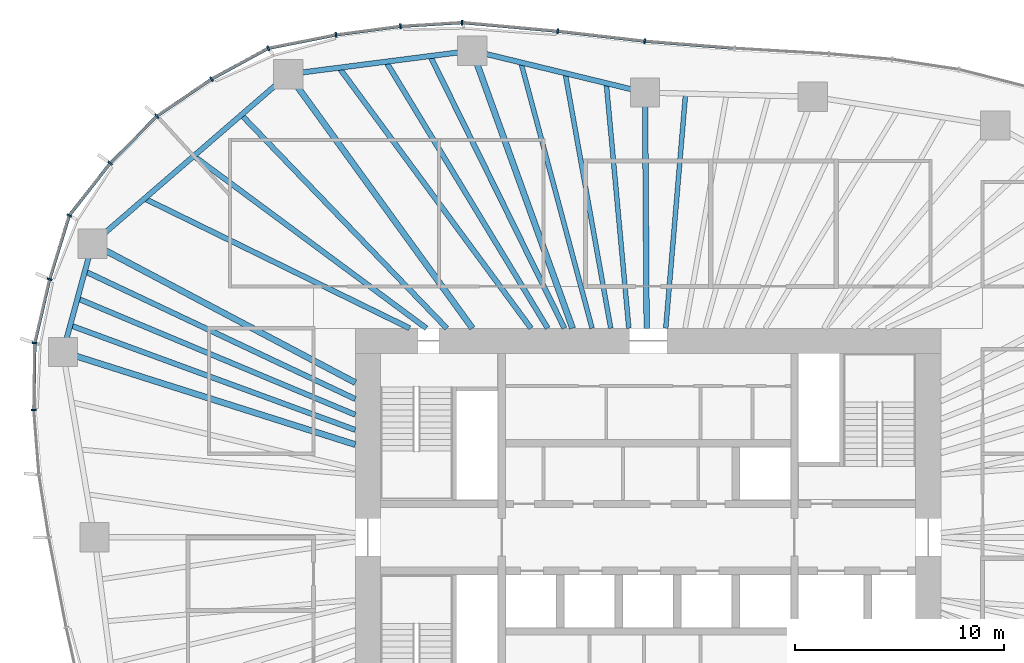
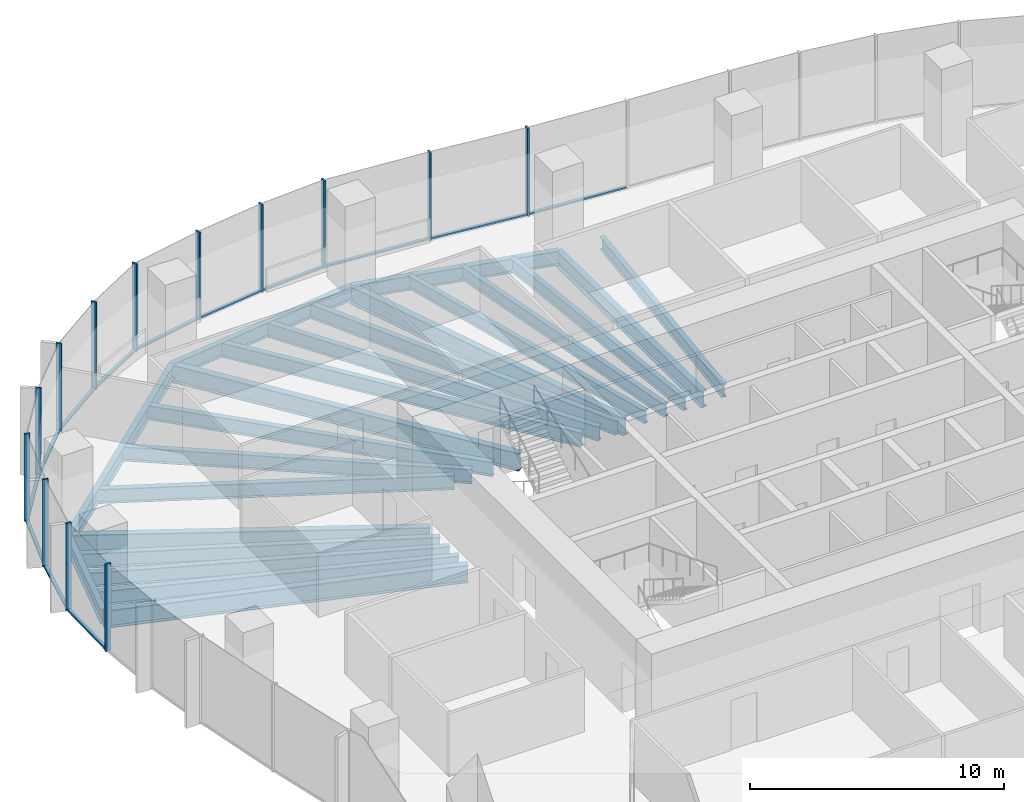
# One storey, part 5 of 18: 26 members, 22 beams, 6 elements without a shape of their own.
"""IFC4 building model written with IfcOpenShell, lengths in metres."""

from ifc_helpers import new_model, si_unit, direction, frame, origin, origin_2d, place, context, subcontext, project, spatial, rectangle, i_section, extrude, material, material_profile, profile_set, type_object, element, aggregate, save


model = new_model("IFC4")

# Units and contexts
model_context = context("Model", 3, precision=1e-05, world=origin(), true_north=direction((0.0, 1.0)))
body_context = subcontext(model_context, "Body", "Model", "MODEL_VIEW")
ifc_project = project(units=[si_unit("LENGTHUNIT", "METRE"), si_unit("AREAUNIT", "SQUARE_METRE"), si_unit("VOLUMEUNIT", "CUBIC_METRE"), si_unit("PLANEANGLEUNIT", "RADIAN"), si_unit("MASSUNIT", "GRAM", prefix="KILO")], contexts=[model_context])

# Site, building, storey
site_placement = place(None, origin())
site = spatial("IfcSite", under=ifc_project, at=site_placement, CompositionType="ELEMENT")
building_placement = place(site_placement, origin())
building = spatial("IfcBuilding", under=site, at=building_placement, Name="Ghaith Harvest Tower", CompositionType="ELEMENT")
storey_placement = place(building_placement, frame((0.0, 0.0, 155.39990234375)))
storey = spatial("IfcBuildingStorey", under=building, at=storey_placement, Name="L33", CompositionType="ELEMENT", Elevation=155.39990234375)

# Curtain wall, members
ifc_material_1 = material(Name="Black anodised aluminium and fritted glass", Category="aluminium")
curtain_wall_type = type_object("IfcCurtainWallType", Name="CW-L CURTAIN WALL", PredefinedType="NOTDEFINED", material=ifc_material_1)
curtain_wall_1_placement = place(storey_placement, origin())
curtain_wall_1 = element("IfcCurtainWall", 1, at=curtain_wall_1_placement, inside=storey, type_object=curtain_wall_type, Name="Curtain wall CW-L bay 06 L33", PredefinedType="NOTDEFINED")
ifc_material_2 = material(Name="Aluminium, black anodised", Category="aluminium")
ifc_material_profile_1 = material_profile(ifc_material_2, rectangle(XDim=0.080078125, YDim=0.239990234375, at=origin_2d()), Name="CW-L MULLION 80x240")
ifc_profile_set_1 = profile_set([ifc_material_profile_1], Name="Aluminium, black anodised")
member_type_1 = type_object("IfcMemberType", Name="CW-L MULLION 80x240", PredefinedType="MULLION", material=ifc_profile_set_1)
member_1_placement = place(storey_placement, frame((-0.162353515625, 23.729736328125, 0.0), z_axis=(0.0, 0.0, 1.0), x_axis=(-0.995388088953, 0.095929934691, 0.0)))
member_1 = element("IfcMember", 2, at=member_1_placement, type_object=member_type_1, Name="CW-L mullion 1 bay 06 L33", PredefinedType="MULLION", context=body_context, shape_type="SweptSolid", body=[
    extrude(rectangle(XDim=0.080078125, YDim=0.239990234375, at=origin_2d()), origin(), (0.0, 0.0, 1.0), 4.2001953125),
])
member_2_placement = place(storey_placement, frame((-4.322998046875, 24.207275390625, 0.0), z_axis=(0.0, 0.0, 1.0), x_axis=(-0.994830371571, 0.101550636625, 0.0)))
member_2 = element("IfcMember", 3, at=member_2_placement, type_object=member_type_1, Name="CW-L mullion 2 bay 06 L33", PredefinedType="MULLION", context=body_context, shape_type="SweptSolid", body=[
    extrude(rectangle(XDim=0.080078125, YDim=0.239990234375, at=origin_2d()), origin(), (0.0, 0.0, 1.0), 4.2001953125),
])

curtain_wall_2_placement = place(storey_placement, origin())
curtain_wall_2 = element("IfcCurtainWall", 4, at=curtain_wall_2_placement, inside=storey, type_object=curtain_wall_type, Name="Curtain wall CW-L bay 07 L33", PredefinedType="NOTDEFINED")
member_3_placement = place(storey_placement, frame((-8.892578125, 24.620849609375, 0.0), z_axis=(0.0, 0.0, 1.0), x_axis=(-0.999522209385, 0.030908784286, 0.0)))
member_3 = element("IfcMember", 5, at=member_3_placement, type_object=member_type_1, Name="CW-L mullion 1 bay 07 L33", PredefinedType="MULLION", context=body_context, shape_type="SweptSolid", body=[
    extrude(rectangle(XDim=0.080078125, YDim=0.239990234375, at=origin_2d()), origin(), (0.0, 0.0, 1.0), 4.2001953125),
])
member_4_placement = place(storey_placement, frame((-11.841064453125, 24.439697265625, 0.0), z_axis=(0.0, 0.0, 1.0), x_axis=(-0.995237520168, -0.097479630949, 0.0)))
member_4 = element("IfcMember", 6, at=member_4_placement, type_object=member_type_1, Name="CW-L mullion 2 bay 07 L33", PredefinedType="MULLION", context=body_context, shape_type="SweptSolid", body=[
    extrude(rectangle(XDim=0.080078125, YDim=0.239990234375, at=origin_2d()), origin(), (0.0, 0.0, 1.0), 4.2001953125),
])
member_5_placement = place(storey_placement, frame((-14.923828125, 24.030029296875, 0.0), z_axis=(0.0, 0.0, 1.0), x_axis=(-0.986494514812, -0.163794298578, 0.0)))
member_5 = element("IfcMember", 7, at=member_5_placement, type_object=member_type_1, Name="CW-L mullion 3 bay 07 L33", PredefinedType="MULLION", context=body_context, shape_type="SweptSolid", body=[
    extrude(rectangle(XDim=0.080078125, YDim=0.239990234375, at=origin_2d()), origin(), (0.0, 0.0, 1.0), 4.2001953125),
])

curtain_wall_3_placement = place(storey_placement, origin())
curtain_wall_3 = element("IfcCurtainWall", 8, at=curtain_wall_3_placement, inside=storey, type_object=curtain_wall_type, Name="Curtain wall CW-L bay 08 L33", PredefinedType="NOTDEFINED")
member_6_placement = place(storey_placement, frame((-18.165283203125, 23.3896484375, 0.0), z_axis=(0.0, 0.0, 1.0), x_axis=(-0.942103541202, -0.335322110298, 0.0)))
member_6 = element("IfcMember", 9, at=member_6_placement, type_object=member_type_1, Name="CW-L mullion 1 bay 08 L33", PredefinedType="MULLION", context=body_context, shape_type="SweptSolid", body=[
    extrude(rectangle(XDim=0.080078125, YDim=0.239990234375, at=origin_2d()), origin(), (0.0, 0.0, 1.0), 4.2001953125),
])
member_7_placement = place(storey_placement, frame((-20.87548828125, 21.91162109375, 0.0), z_axis=(0.0, 0.0, 1.0), x_axis=(-0.853515864435, -0.521066856707, 0.0)))
member_7 = element("IfcMember", 10, at=member_7_placement, type_object=member_type_1, Name="CW-L mullion 2 bay 08 L33", PredefinedType="MULLION", context=body_context, shape_type="SweptSolid", body=[
    extrude(rectangle(XDim=0.080078125, YDim=0.239990234375, at=origin_2d()), origin(), (0.0, 0.0, 1.0), 4.2001953125),
])
member_8_placement = place(storey_placement, frame((-23.489501953125, 20.13916015625, 0.0), z_axis=(0.0, 0.0, 1.0), x_axis=(-0.769682554376, -0.638426789451, 0.0)))
member_8 = element("IfcMember", 11, at=member_8_placement, type_object=member_type_1, Name="CW-L mullion 3 bay 08 L33", PredefinedType="MULLION", context=body_context, shape_type="SweptSolid", body=[
    extrude(rectangle(XDim=0.080078125, YDim=0.239990234375, at=origin_2d()), origin(), (0.0, 0.0, 1.0), 4.2001953125),
])

curtain_wall_4_placement = place(storey_placement, origin())
curtain_wall_4 = element("IfcCurtainWall", 12, at=curtain_wall_4_placement, inside=storey, type_object=curtain_wall_type, Name="Curtain wall CW-L bay 09 L33", PredefinedType="NOTDEFINED")
member_9_placement = place(storey_placement, frame((-25.718017578125, 17.894775390625, 0.0), z_axis=(0.0, 0.0, 1.0), x_axis=(-0.661903840688, -0.749588757708, 0.0)))
member_9 = element("IfcMember", 13, at=member_9_placement, type_object=member_type_1, Name="CW-L mullion 1 bay 09 L33", PredefinedType="MULLION", context=body_context, shape_type="SweptSolid", body=[
    extrude(rectangle(XDim=0.080078125, YDim=0.239990234375, at=origin_2d()), origin(), (0.0, 0.0, 1.0), 4.2001953125),
])
member_10_placement = place(storey_placement, frame((-27.67919921875, 15.39453125, 0.0), z_axis=(0.0, 0.0, 1.0), x_axis=(-0.462889784298, -0.886415843491, 0.0)))
member_10 = element("IfcMember", 14, at=member_10_placement, type_object=member_type_1, Name="CW-L mullion 2 bay 09 L33", PredefinedType="MULLION", context=body_context, shape_type="SweptSolid", body=[
    extrude(rectangle(XDim=0.080078125, YDim=0.239990234375, at=origin_2d()), origin(), (0.0, 0.0, 1.0), 4.2001953125),
])
member_11_placement = place(storey_placement, frame((-28.61669921875, 12.343994140625, 0.0), z_axis=(0.0, 0.0, 1.0), x_axis=(-0.260727312416, -0.965412486226, 0.0)))
member_11 = element("IfcMember", 15, at=member_11_placement, type_object=member_type_1, Name="CW-L mullion 3 bay 09 L33", PredefinedType="MULLION", context=body_context, shape_type="SweptSolid", body=[
    extrude(rectangle(XDim=0.080078125, YDim=0.239990234375, at=origin_2d()), origin(), (0.0, 0.0, 1.0), 4.2001953125),
])

curtain_wall_5_placement = place(storey_placement, origin())
curtain_wall_5 = element("IfcCurtainWall", 16, at=curtain_wall_5_placement, inside=storey, type_object=curtain_wall_type, Name="Curtain wall CW-L bay 10 L33", PredefinedType="NOTDEFINED")
member_12_placement = place(storey_placement, frame((-29.32666015625, 9.294189453125, 0.0), z_axis=(0.0, 0.0, 1.0), x_axis=(-0.120932140225, -0.99266077663, 0.0)))
member_12 = element("IfcMember", 17, at=member_12_placement, type_object=member_type_1, Name="CW-L mullion 1 bay 10 L33", PredefinedType="MULLION", context=body_context, shape_type="SweptSolid", body=[
    extrude(rectangle(XDim=0.080078125, YDim=0.239990234375, at=origin_2d()), origin(), (0.0, 0.0, 1.0), 4.2001953125),
])
member_13_placement = place(storey_placement, frame((-29.3779296875, 6.09619140625, 0.0), z_axis=(0.0, 0.0, 1.0), x_axis=(0.031027769448, -0.999518522851, 0.0)))
member_13 = element("IfcMember", 18, at=member_13_placement, type_object=member_type_1, Name="CW-L mullion 2 bay 10 L33", PredefinedType="MULLION", context=body_context, shape_type="SweptSolid", body=[
    extrude(rectangle(XDim=0.080078125, YDim=0.239990234375, at=origin_2d()), origin(), (0.0, 0.0, 1.0), 4.2001953125),
])

# Curtain wall, member
curtain_wall_6_placement = place(storey_placement, origin())
curtain_wall_6 = element("IfcCurtainWall", 19, at=curtain_wall_6_placement, inside=storey, type_object=curtain_wall_type, Name="Curtain wall CW-L bay 05 L33", PredefinedType="NOTDEFINED")
ifc_material_3 = material(Name="Aluminium, black anodised", Category="aluminium")
ifc_material_profile_2 = material_profile(ifc_material_3, rectangle(XDim=0.14990234375, YDim=0.080078125, at=origin_2d()), Name="CW-L TRANSOM 150x80")
ifc_profile_set_2 = profile_set([ifc_material_profile_2], Name="Aluminium, black anodised")
member_type_2 = type_object("IfcMemberType", Name="CW-L TRANSOM 150x80", PredefinedType="USERDEFINED", material=ifc_profile_set_2)
member_14_placement = place(storey_placement, frame((4.106689453125, 23.39404296875, 0.0400390625), z_axis=(-0.996923406046, 0.078381901463, 0.0), x_axis=(-0.078381901463, -0.996923406046, 0.0)))
member_14 = element("IfcMember", 20, at=member_14_placement, type_object=member_type_2, Name="CW-L transom 2 bay 05 L33", ObjectType="TRANSOM", PredefinedType="USERDEFINED", context=body_context, shape_type="SweptSolid", body=[
    extrude(rectangle(XDim=0.14990234375, YDim=0.080078125, at=origin_2d()), origin(), (0.0, 0.0, 1.0), 4.2421875),
])
aggregate(curtain_wall_6, [member_14])

# Member
member_15_placement = place(storey_placement, frame((-0.2021484375, 23.734130859375, 0.0400390625), z_axis=(-0.993474883942, 0.114051106861, 0.0), x_axis=(-0.114051106861, -0.993474883942, 0.0)))
member_15 = element("IfcMember", 21, at=member_15_placement, type_object=member_type_2, Name="CW-L transom 1 bay 06 L33", ObjectType="TRANSOM", PredefinedType="USERDEFINED", context=body_context, shape_type="SweptSolid", body=[
    extrude(rectangle(XDim=0.14990234375, YDim=0.080078125, at=origin_2d()), origin(), (0.0, 0.0, 1.0), 4.10791015625),
])

member_16_placement = place(storey_placement, frame((-4.36279296875, 24.210693359375, 0.0400390625), z_axis=(-0.995926431676, 0.090169521954, 0.0), x_axis=(-0.090169521954, -0.995926431676, 0.0)))
member_16 = element("IfcMember", 22, at=member_16_placement, type_object=member_type_2, Name="CW-L transom 2 bay 06 L33", ObjectType="TRANSOM", PredefinedType="USERDEFINED", context=body_context, shape_type="SweptSolid", body=[
    extrude(rectangle(XDim=0.14990234375, YDim=0.080078125, at=origin_2d()), origin(), (0.0, 0.0, 1.0), 4.508056640625),
])

aggregate(curtain_wall_1, [member_1, member_15, member_2, member_16])

member_17_placement = place(storey_placement, frame((-8.932373046875, 24.618408203125, 0.0400390625), z_axis=(-0.998117793577, -0.061325933705, 0.0), x_axis=(0.061325933705, -0.998117793577, 0.0)))
member_17 = element("IfcMember", 23, at=member_17_placement, type_object=member_type_2, Name="CW-L transom 1 bay 07 L33", ObjectType="TRANSOM", PredefinedType="USERDEFINED", context=body_context, shape_type="SweptSolid", body=[
    extrude(rectangle(XDim=0.14990234375, YDim=0.080078125, at=origin_2d()), origin(), (0.0, 0.0, 1.0), 2.874267578125),
])

member_18_placement = place(storey_placement, frame((-11.880859375, 24.434326171875, 0.0400390625), z_axis=(-0.991293929443, -0.131667556553, 0.0), x_axis=(0.131667556553, -0.991293929443, 0.0)))
member_18 = element("IfcMember", 24, at=member_18_placement, type_object=member_type_2, Name="CW-L transom 2 bay 07 L33", ObjectType="TRANSOM", PredefinedType="USERDEFINED", context=body_context, shape_type="SweptSolid", body=[
    extrude(rectangle(XDim=0.14990234375, YDim=0.080078125, at=origin_2d()), origin(), (0.0, 0.0, 1.0), 3.02978515625),
])

member_19_placement = place(storey_placement, frame((-14.963134765625, 24.022216796875, 0.0400390625), z_axis=(-0.98104391994, -0.19378551842, 0.0), x_axis=(0.19378551842, -0.98104391994, 0.0)))
member_19 = element("IfcMember", 25, at=member_19_placement, type_object=member_type_2, Name="CW-L transom 3 bay 07 L33", ObjectType="TRANSOM", PredefinedType="USERDEFINED", context=body_context, shape_type="SweptSolid", body=[
    extrude(rectangle(XDim=0.14990234375, YDim=0.080078125, at=origin_2d()), origin(), (0.0, 0.0, 1.0), 3.223876953125),
])

aggregate(curtain_wall_2, [member_3, member_17, member_4, member_18, member_5, member_19])

member_20_placement = place(storey_placement, frame((-18.200439453125, 23.37060546875, 0.0400390625), z_axis=(-0.877929702377, -0.478789554695, 0.0), x_axis=(0.478789554695, -0.877929702377, 0.0)))
member_20 = element("IfcMember", 26, at=member_20_placement, type_object=member_type_2, Name="CW-L transom 1 bay 08 L33", ObjectType="TRANSOM", PredefinedType="USERDEFINED", context=body_context, shape_type="SweptSolid", body=[
    extrude(rectangle(XDim=0.14990234375, YDim=0.080078125, at=origin_2d()), origin(), (0.0, 0.0, 1.0), 3.0068359375),
])

member_21_placement = place(storey_placement, frame((-20.908447265625, 21.88916015625, 0.0400390625), z_axis=(-0.827681025079, -0.561198824593, 0.0), x_axis=(0.561198824593, -0.827681025079, 0.0)))
member_21 = element("IfcMember", 27, at=member_21_placement, type_object=member_type_2, Name="CW-L transom 2 bay 08 L33", ObjectType="TRANSOM", PredefinedType="USERDEFINED", context=body_context, shape_type="SweptSolid", body=[
    extrude(rectangle(XDim=0.14990234375, YDim=0.080078125, at=origin_2d()), origin(), (0.0, 0.0, 1.0), 3.078369140625),
])

member_22_placement = place(storey_placement, frame((-23.517578125, 20.11083984375, 0.0400390625), z_axis=(-0.704647577514, -0.709557461735, 0.0), x_axis=(0.709557461735, -0.704647577514, 0.0)))
member_22 = element("IfcMember", 28, at=member_22_placement, type_object=member_type_2, Name="CW-L transom 3 bay 08 L33", ObjectType="TRANSOM", PredefinedType="USERDEFINED", context=body_context, shape_type="SweptSolid", body=[
    extrude(rectangle(XDim=0.14990234375, YDim=0.080078125, at=origin_2d()), origin(), (0.0, 0.0, 1.0), 3.0830078125),
])

aggregate(curtain_wall_3, [member_6, member_20, member_7, member_21, member_8, member_22])

member_23_placement = place(storey_placement, frame((-25.74267578125, 17.86328125, 0.0400390625), z_axis=(-0.617198298797, -0.786807638474, 0.0), x_axis=(0.786807638474, -0.617198298797, 0.0)))
member_23 = element("IfcMember", 29, at=member_23_placement, type_object=member_type_2, Name="CW-L transom 1 bay 09 L33", ObjectType="TRANSOM", PredefinedType="USERDEFINED", context=body_context, shape_type="SweptSolid", body=[
    extrude(rectangle(XDim=0.14990234375, YDim=0.080078125, at=origin_2d()), origin(), (0.0, 0.0, 1.0), 3.09765625),
])

member_24_placement = place(storey_placement, frame((-27.69091796875, 15.356201171875, 0.0400390625), z_axis=(-0.293777058804, -0.955873966441, 0.0), x_axis=(0.955873966441, -0.293777058804, 0.0)))
member_24 = element("IfcMember", 30, at=member_24_placement, type_object=member_type_2, Name="CW-L transom 2 bay 09 L33", ObjectType="TRANSOM", PredefinedType="USERDEFINED", context=body_context, shape_type="SweptSolid", body=[
    extrude(rectangle(XDim=0.14990234375, YDim=0.080078125, at=origin_2d()), origin(), (0.0, 0.0, 1.0), 3.111328125),
])

member_25_placement = place(storey_placement, frame((-28.6259765625, 12.304931640625, 0.0400390625), z_axis=(-0.226670598607, -0.973971477882, 0.0), x_axis=(0.973971477882, -0.226670598607, 0.0)))
member_25 = element("IfcMember", 31, at=member_25_placement, type_object=member_type_2, Name="CW-L transom 3 bay 09 L33", ObjectType="TRANSOM", PredefinedType="USERDEFINED", context=body_context, shape_type="SweptSolid", body=[
    extrude(rectangle(XDim=0.14990234375, YDim=0.080078125, at=origin_2d()), origin(), (0.0, 0.0, 1.0), 3.05126953125),
])

aggregate(curtain_wall_4, [member_9, member_23, member_10, member_24, member_11, member_25])

member_26_placement = place(storey_placement, frame((-29.327392578125, 9.254150390625, 0.0400390625), z_axis=(-0.015971652868, -0.999872445017, 0.0), x_axis=(0.999872445017, -0.015971652868, 0.0)))
member_26 = element("IfcMember", 32, at=member_26_placement, type_object=member_type_2, Name="CW-L transom 1 bay 10 L33", ObjectType="TRANSOM", PredefinedType="USERDEFINED", context=body_context, shape_type="SweptSolid", body=[
    extrude(rectangle(XDim=0.14990234375, YDim=0.080078125, at=origin_2d()), origin(), (0.0, 0.0, 1.0), 3.118408203125),
])

aggregate(curtain_wall_5, [member_12, member_26, member_13])

# Beams
ifc_material_4 = material(Name="Steel ASTM A992 Grade 50", Category="steel")
ifc_material_profile_3 = material_profile(ifc_material_4, i_section(OverallWidth=0.25390625, OverallDepth=0.68408203125, WebThickness=0.012451171875, FlangeThickness=0.018798828125, at=origin_2d()), Name="W690X140")
ifc_profile_set_3 = profile_set([ifc_material_profile_3], Name="Steel ASTM A992 Grade 50")
beam_type_1 = type_object("IfcBeamType", Name="E690-140 W690X140", PredefinedType="SPANDREL", material=ifc_profile_set_3)
beam_1_placement = place(storey_placement, frame((-0.14599609375, 21.27099609375, -0.511962890625), z_axis=(-0.971790293477, 0.235846614358, 0.0), x_axis=(-0.235846614358, -0.971790293477, 0.0)))
element("IfcBeam", 33, at=beam_1_placement, inside=storey, type_object=beam_type_1, Name="Edge beam E06 L33", PredefinedType="SPANDREL", context=body_context, shape_type="SweptSolid", body=[
    extrude(i_section(OverallWidth=0.25390625, OverallDepth=0.68408203125, WebThickness=0.012451171875, FlangeThickness=0.018798828125, at=origin_2d()), origin(), (0.0, 0.0, 1.0), 8.500732421875),
])
beam_2_placement = place(storey_placement, frame((-8.406982421875, 23.27587890625, -0.511962890625), z_axis=(-0.991904090065, -0.126989275577, 0.0), x_axis=(0.126989275577, -0.991904090065, 0.0)))
element("IfcBeam", 34, at=beam_2_placement, inside=storey, type_object=beam_type_1, Name="Edge beam E07 L33", PredefinedType="SPANDREL", context=body_context, shape_type="SweptSolid", body=[
    extrude(i_section(OverallWidth=0.25390625, OverallDepth=0.68408203125, WebThickness=0.012451171875, FlangeThickness=0.018798828125, at=origin_2d()), origin(), (0.0, 0.0, 1.0), 8.86669921875),
])
beam_3_placement = place(storey_placement, frame((-17.201904296875, 22.14990234375, -0.511962890625), z_axis=(-0.756392158274, -0.654118416574, 0.0), x_axis=(0.654118416574, -0.756392158274, 0.0)))
element("IfcBeam", 35, at=beam_3_placement, inside=storey, type_object=beam_type_1, Name="Edge beam E08 L33", PredefinedType="SPANDREL", context=body_context, shape_type="SweptSolid", body=[
    extrude(i_section(OverallWidth=0.25390625, OverallDepth=0.68408203125, WebThickness=0.012451171875, FlangeThickness=0.018798828125, at=origin_2d()), origin(), (0.0, 0.0, 1.0), 12.38916015625),
])
beam_4_placement = place(storey_placement, frame((-26.572998046875, 14.0458984375, -0.511962890625), z_axis=(-0.262724740433, -0.964870825947, 0.0), x_axis=(0.964870825947, -0.262724740433, 0.0)))
element("IfcBeam", 36, at=beam_4_placement, inside=storey, type_object=beam_type_1, Name="Edge beam E09 L33", PredefinedType="SPANDREL", context=body_context, shape_type="SweptSolid", body=[
    extrude(i_section(OverallWidth=0.25390625, OverallDepth=0.68408203125, WebThickness=0.012451171875, FlangeThickness=0.018798828125, at=origin_2d()), origin(), (0.0, 0.0, 1.0), 5.366455078125),
])
ifc_material_5 = material(Name="Steel ASTM A992 Grade 50", Category="steel")
ifc_material_profile_4 = material_profile(ifc_material_5, i_section(OverallWidth=0.26806640625, OverallDepth=0.77001953125, WebThickness=0.015625, FlangeThickness=0.025390625, at=origin_2d()), Name="W760X196")
ifc_profile_set_4 = profile_set([ifc_material_profile_4], Name="Steel ASTM A992 Grade 50")
beam_type_2 = type_object("IfcBeamType", Name="G760-196 W760X196", PredefinedType="BEAM", material=ifc_profile_set_4)
beam_5_placement = place(storey_placement, frame((-0.068359375, 10.0, -0.554931640625), z_axis=(-0.006888022705, 0.99997627729, 0.0), x_axis=(-0.99997627729, -0.006888022705, 0.0)))
element("IfcBeam", 37, at=beam_5_placement, inside=storey, type_object=beam_type_2, Name="Radial girder G06 L33", PredefinedType="BEAM", context=body_context, shape_type="SweptSolid", body=[
    extrude(i_section(OverallWidth=0.26806640625, OverallDepth=0.77001953125, WebThickness=0.015625, FlangeThickness=0.025390625, at=origin_2d()), origin(), (0.0, 0.0, 1.0), 11.271240234375),
])
ifc_material_6 = material(Name="Steel ASTM A992 Grade 50", Category="steel")
ifc_material_profile_5 = material_profile(ifc_material_6, i_section(OverallWidth=0.2939453125, OverallDepth=0.85107421875, WebThickness=0.01611328125, FlangeThickness=0.02685546875, at=origin_2d()), Name="W840X226")
ifc_profile_set_5 = profile_set([ifc_material_profile_5], Name="Steel ASTM A992 Grade 50")
beam_type_3 = type_object("IfcBeamType", Name="G840-226 W840X226", PredefinedType="BEAM", material=ifc_profile_set_5)
beam_6_placement = place(storey_placement, frame((-3.61181640625, 10.0, -0.595458984375), z_axis=(-0.339713316819, 0.940529033245, 0.0), x_axis=(-0.940529033245, -0.339713316819, 0.0)))
element("IfcBeam", 38, at=beam_6_placement, inside=storey, type_object=beam_type_3, Name="Radial girder G07 L33", PredefinedType="BEAM", context=body_context, shape_type="SweptSolid", body=[
    extrude(i_section(OverallWidth=0.2939453125, OverallDepth=0.85107421875, WebThickness=0.01611328125, FlangeThickness=0.02685546875, at=origin_2d()), origin(), (0.0, 0.0, 1.0), 14.115234375),
])
beam_7_placement = place(storey_placement, frame((-8.39990234375, 10.0, -0.595458984375), z_axis=(-0.586675813287, 0.809821887889, 0.0), x_axis=(-0.809821887889, -0.586675813287, 0.0)))
element("IfcBeam", 39, at=beam_7_placement, inside=storey, type_object=beam_type_3, Name="Radial girder G08 L33", PredefinedType="BEAM", context=body_context, shape_type="SweptSolid", body=[
    extrude(i_section(OverallWidth=0.2939453125, OverallDepth=0.85107421875, WebThickness=0.01611328125, FlangeThickness=0.02685546875, at=origin_2d()), origin(), (0.0, 0.0, 1.0), 15.003173828125),
])
beam_8_placement = place(storey_placement, frame((-14.0, 7.39990234375, -0.595458984375), z_axis=(-0.88408713845, 0.467322085533, 0.0), x_axis=(-0.467322085533, -0.88408713845, 0.0)))
element("IfcBeam", 40, at=beam_8_placement, inside=storey, type_object=beam_type_3, Name="Radial girder G09 L33", PredefinedType="BEAM", context=body_context, shape_type="SweptSolid", body=[
    extrude(i_section(OverallWidth=0.2939453125, OverallDepth=0.85107421875, WebThickness=0.01611328125, FlangeThickness=0.02685546875, at=origin_2d()), origin(), (0.0, 0.0, 1.0), 14.221435546875),
])
beam_9_placement = place(storey_placement, frame((-14.0, 4.43701171875, -0.595458984375), z_axis=(-0.953283605796, 0.302076756671, 0.0), x_axis=(-0.302076756671, -0.953283605796, 0.0)))
element("IfcBeam", 41, at=beam_9_placement, inside=storey, type_object=beam_type_3, Name="Radial girder G10 L33", PredefinedType="BEAM", context=body_context, shape_type="SweptSolid", body=[
    extrude(i_section(OverallWidth=0.2939453125, OverallDepth=0.85107421875, WebThickness=0.01611328125, FlangeThickness=0.02685546875, at=origin_2d()), origin(), (0.0, 0.0, 1.0), 14.668212890625),
])
ifc_material_7 = material(Name="Steel ASTM A992 Grade 50", Category="steel")
ifc_material_profile_6 = material_profile(ifc_material_7, i_section(OverallWidth=0.22900390625, OverallDepth=0.612060546875, WebThickness=0.011962890625, FlangeThickness=0.01953125, at=origin_2d()), Name="W610X125")
ifc_profile_set_6 = profile_set([ifc_material_profile_6], Name="Steel ASTM A992 Grade 50")
beam_type_4 = type_object("IfcBeamType", Name="J610-125 W610X125", PredefinedType="JOIST", material=ifc_profile_set_6)
beam_10_placement = place(storey_placement, frame((0.844970703125, 10.0, -0.475830078125), z_axis=(0.084213263804, 0.996447753873, 0.0), x_axis=(-0.996447753873, 0.084213263804, 0.0)))
element("IfcBeam", 42, at=beam_10_placement, inside=storey, type_object=beam_type_4, Name="Joist J05.3 L33", PredefinedType="JOIST", context=body_context, shape_type="SweptSolid", body=[
    extrude(i_section(OverallWidth=0.22900390625, OverallDepth=0.612060546875, WebThickness=0.011962890625, FlangeThickness=0.01953125, at=origin_2d()), origin(), (0.0, 0.0, 1.0), 11.262939453125),
])
beam_11_placement = place(storey_placement, frame((-0.92041015625, 10.0, -0.475830078125), z_axis=(-0.091659676302, 0.995790391468, 0.0), x_axis=(-0.995790391468, -0.091659676302, 0.0)))
element("IfcBeam", 43, at=beam_11_placement, inside=storey, type_object=beam_type_4, Name="Joist J06.1 L33", PredefinedType="JOIST", context=body_context, shape_type="SweptSolid", body=[
    extrude(i_section(OverallWidth=0.22900390625, OverallDepth=0.612060546875, WebThickness=0.011962890625, FlangeThickness=0.01953125, at=origin_2d()), origin(), (0.0, 0.0, 1.0), 11.770263671875),
])
beam_12_placement = place(storey_placement, frame((-1.785888671875, 10.0, -0.475830078125), z_axis=(-0.175794730188, 0.984426844838, 0.0), x_axis=(-0.984426844838, -0.175794730188, 0.0)))
element("IfcBeam", 44, at=beam_12_placement, inside=storey, type_object=beam_type_4, Name="Joist J06.2 L33", PredefinedType="JOIST", context=body_context, shape_type="SweptSolid", body=[
    extrude(i_section(OverallWidth=0.22900390625, OverallDepth=0.612060546875, WebThickness=0.011962890625, FlangeThickness=0.01953125, at=origin_2d()), origin(), (0.0, 0.0, 1.0), 12.390625),
])
beam_13_placement = place(storey_placement, frame((-2.677978515625, 10.0, -0.475830078125), z_axis=(-0.258692500157, 0.965959725021, 0.0), x_axis=(-0.965959725021, -0.258692500157, 0.0)))
element("IfcBeam", 45, at=beam_13_placement, inside=storey, type_object=beam_type_4, Name="Joist J06.3 L33", PredefinedType="JOIST", context=body_context, shape_type="SweptSolid", body=[
    extrude(i_section(OverallWidth=0.22900390625, OverallDepth=0.612060546875, WebThickness=0.011962890625, FlangeThickness=0.01953125, at=origin_2d()), origin(), (0.0, 0.0, 1.0), 13.15966796875),
])
ifc_material_8 = material(Name="Steel ASTM A992 Grade 50", Category="steel")
ifc_material_profile_7 = material_profile(ifc_material_8, i_section(OverallWidth=0.25390625, OverallDepth=0.68408203125, WebThickness=0.012451171875, FlangeThickness=0.018798828125, at=origin_2d()), Name="W690X140")
ifc_profile_set_7 = profile_set([ifc_material_profile_7], Name="Steel ASTM A992 Grade 50")
beam_type_5 = type_object("IfcBeamType", Name="J690-140 W690X140", PredefinedType="JOIST", material=ifc_profile_set_7)
beam_14_placement = place(storey_placement, frame((-4.0, 10.0, -0.511962890625), z_axis=(-0.442214455448, 0.896909346251, 0.0), x_axis=(-0.896909346251, -0.442214455448, 0.0)))
element("IfcBeam", 46, at=beam_14_placement, inside=storey, type_object=beam_type_5, Name="Joist J07.1 L33", PredefinedType="JOIST", context=body_context, shape_type="SweptSolid", body=[
    extrude(i_section(OverallWidth=0.25390625, OverallDepth=0.68408203125, WebThickness=0.012451171875, FlangeThickness=0.018798828125, at=origin_2d()), origin(), (0.0, 0.0, 1.0), 14.514892578125),
])
beam_15_placement = place(storey_placement, frame((-4.800048828125, 10.0, -0.511962890625), z_axis=(-0.51847337083, 0.855093774822, 0.0), x_axis=(-0.855093774822, -0.51847337083, 0.0)))
element("IfcBeam", 47, at=beam_15_placement, inside=storey, type_object=beam_type_5, Name="Joist J07.2 L33", PredefinedType="JOIST", context=body_context, shape_type="SweptSolid", body=[
    extrude(i_section(OverallWidth=0.25390625, OverallDepth=0.68408203125, WebThickness=0.012451171875, FlangeThickness=0.018798828125, at=origin_2d()), origin(), (0.0, 0.0, 1.0), 14.90869140625),
])
beam_16_placement = place(storey_placement, frame((-5.60009765625, 10.0, -0.511962890625), z_axis=(-0.592984827174, 0.805213632983, 0.0), x_axis=(-0.805213632983, -0.592984827174, 0.0)))
element("IfcBeam", 48, at=beam_16_placement, inside=storey, type_object=beam_type_5, Name="Joist J07.3 L33", PredefinedType="JOIST", context=body_context, shape_type="SweptSolid", body=[
    extrude(i_section(OverallWidth=0.25390625, OverallDepth=0.68408203125, WebThickness=0.012451171875, FlangeThickness=0.018798828125, at=origin_2d()), origin(), (0.0, 0.0, 1.0), 15.474609375),
])
beam_17_placement = place(storey_placement, frame((-9.626708984375, 10.0, -0.511962890625), z_axis=(-0.693535693616, 0.720422266231, 0.0), x_axis=(-0.720422266231, -0.693535693616, 0.0)))
element("IfcBeam", 49, at=beam_17_placement, inside=storey, type_object=beam_type_5, Name="Joist J08.1 L33", PredefinedType="JOIST", context=body_context, shape_type="SweptSolid", body=[
    extrude(i_section(OverallWidth=0.25390625, OverallDepth=0.68408203125, WebThickness=0.012451171875, FlangeThickness=0.018798828125, at=origin_2d()), origin(), (0.0, 0.0, 1.0), 14.16552734375),
])
beam_18_placement = place(storey_placement, frame((-10.60009765625, 10.0, -0.511962890625), z_axis=(-0.803663089107, 0.595084564752, 0.0), x_axis=(-0.595084564752, -0.803663089107, 0.0)))
element("IfcBeam", 50, at=beam_18_placement, inside=storey, type_object=beam_type_5, Name="Joist J08.2 L33", PredefinedType="JOIST", context=body_context, shape_type="SweptSolid", body=[
    extrude(i_section(OverallWidth=0.25390625, OverallDepth=0.68408203125, WebThickness=0.012451171875, FlangeThickness=0.018798828125, at=origin_2d()), origin(), (0.0, 0.0, 1.0), 13.843505859375),
])
beam_19_placement = place(storey_placement, frame((-11.39990234375, 10.0, -0.511962890625), z_axis=(-0.898274832354, 0.439434096946, 0.0), x_axis=(-0.439434096946, -0.898274832354, 0.0)))
element("IfcBeam", 51, at=beam_19_placement, inside=storey, type_object=beam_type_5, Name="Joist J08.3 L33", PredefinedType="JOIST", context=body_context, shape_type="SweptSolid", body=[
    extrude(i_section(OverallWidth=0.25390625, OverallDepth=0.68408203125, WebThickness=0.012451171875, FlangeThickness=0.018798828125, at=origin_2d()), origin(), (0.0, 0.0, 1.0), 14.114990234375),
])
beam_20_placement = place(storey_placement, frame((-14.0, 6.614990234375, -0.511962890625), z_axis=(-0.904153428261, 0.427207886354, 0.0), x_axis=(-0.427207886354, -0.904153428261, 0.0)))
element("IfcBeam", 52, at=beam_20_placement, inside=storey, type_object=beam_type_5, Name="Joist J09.1 L33", PredefinedType="JOIST", context=body_context, shape_type="SweptSolid", body=[
    extrude(i_section(OverallWidth=0.25390625, OverallDepth=0.68408203125, WebThickness=0.012451171875, FlangeThickness=0.018798828125, at=origin_2d()), origin(), (0.0, 0.0, 1.0), 14.303466796875),
])
beam_21_placement = place(storey_placement, frame((-14.0, 5.862548828125, -0.511962890625), z_axis=(-0.922385943167, 0.38626955853, 0.0), x_axis=(-0.38626955853, -0.922385943167, 0.0)))
element("IfcBeam", 53, at=beam_21_placement, inside=storey, type_object=beam_type_5, Name="Joist J09.2 L33", PredefinedType="JOIST", context=body_context, shape_type="SweptSolid", body=[
    extrude(i_section(OverallWidth=0.25390625, OverallDepth=0.68408203125, WebThickness=0.012451171875, FlangeThickness=0.018798828125, at=origin_2d()), origin(), (0.0, 0.0, 1.0), 14.404296875),
])
beam_22_placement = place(storey_placement, frame((-14.0, 5.137939453125, -0.511962890625), z_axis=(-0.93877541132, 0.344529718748, 0.0), x_axis=(-0.344529718748, -0.93877541132, 0.0)))
element("IfcBeam", 54, at=beam_22_placement, inside=storey, type_object=beam_type_5, Name="Joist J09.3 L33", PredefinedType="JOIST", context=body_context, shape_type="SweptSolid", body=[
    extrude(i_section(OverallWidth=0.25390625, OverallDepth=0.68408203125, WebThickness=0.012451171875, FlangeThickness=0.018798828125, at=origin_2d()), origin(), (0.0, 0.0, 1.0), 14.525390625),
])

save(model, "model.ifc")
